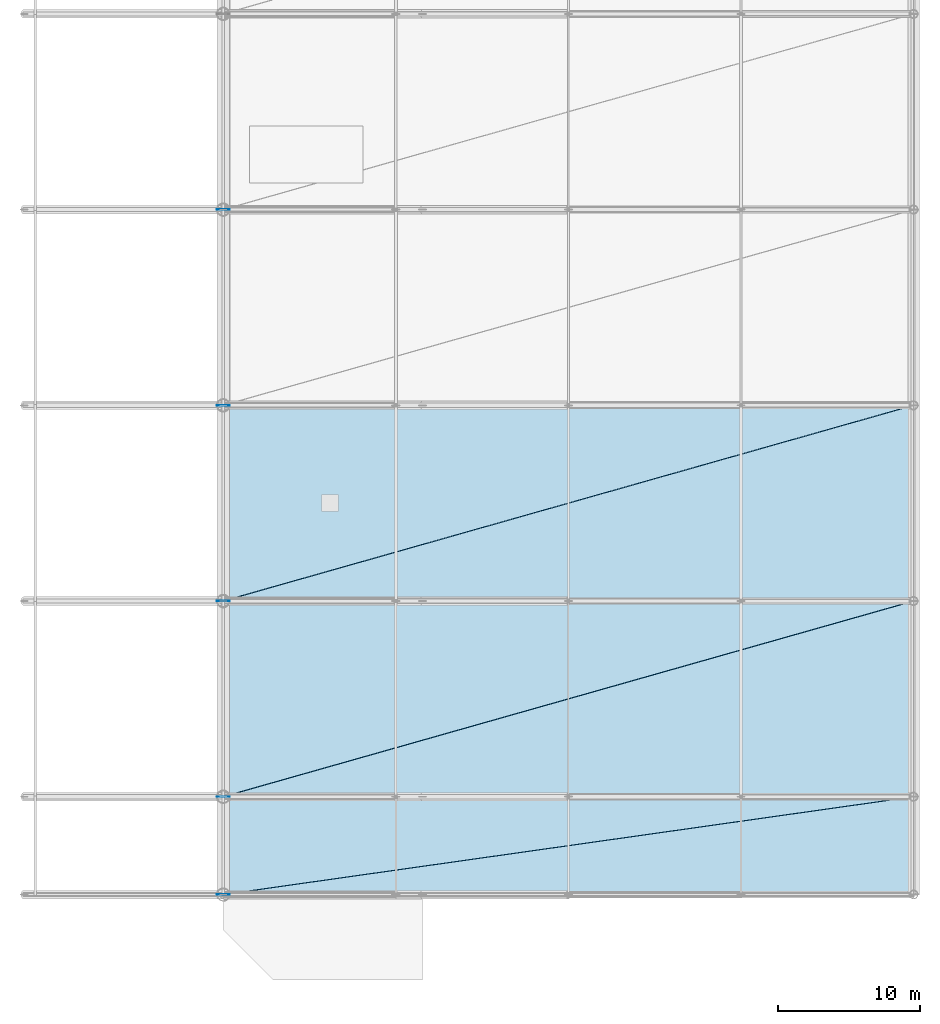
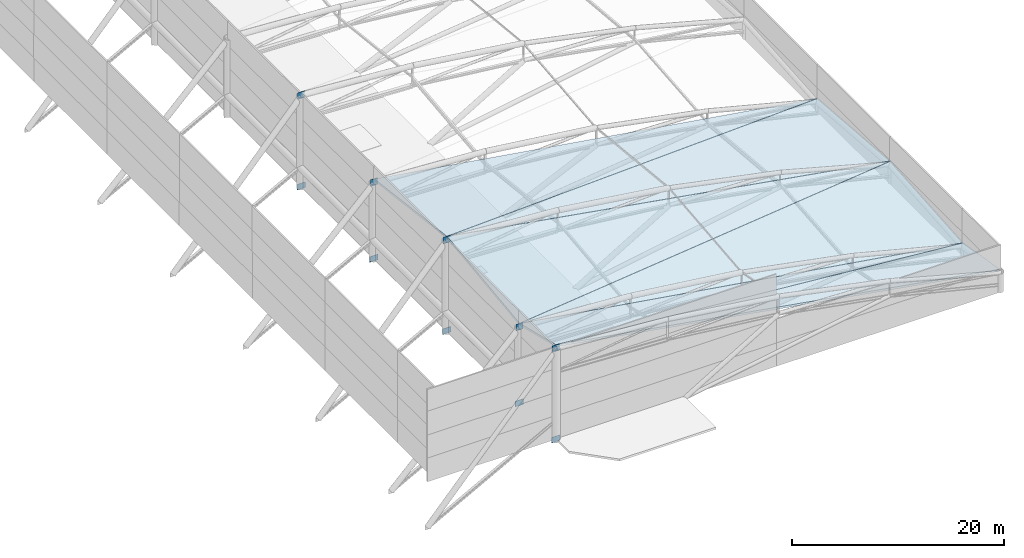
# One storey, part 27 of 36: 10 plates, 6 slabs.
"""IFC4 building model written with IfcOpenShell, lengths in metres."""

from ifc_helpers import new_model, si_unit, direction, frame, origin, origin_2d, place, context, subcontext, project, spatial, polyline, rectangle, outline, extrude, material, layer, layer_set, type_object, element, save


model = new_model("IFC4")

# Units and contexts
model_context = context("Model", 3, precision=1e-05, world=origin(), true_north=direction((0.0, 1.0)))
body_context = subcontext(model_context, "Body", "Model", "MODEL_VIEW")
ifc_project = project(units=[si_unit("LENGTHUNIT", "METRE"), si_unit("AREAUNIT", "SQUARE_METRE"), si_unit("VOLUMEUNIT", "CUBIC_METRE"), si_unit("PLANEANGLEUNIT", "RADIAN"), si_unit("MASSUNIT", "GRAM", prefix="KILO")], contexts=[model_context])

# Site, building, storey
site_placement = place(None, origin())
site = spatial("IfcSite", under=ifc_project, at=site_placement, CompositionType="ELEMENT")
building_placement = place(site_placement, origin())
building = spatial("IfcBuilding", under=site, at=building_placement, Name="Linyun Crest Stadium", CompositionType="ELEMENT")
storey_placement = place(building_placement, frame((0.0, 0.0, 31.60009765625)))
storey = spatial("IfcBuildingStorey", under=building, at=storey_placement, Name="RF", CompositionType="ELEMENT", Elevation=31.60009765625)

# Plates
ifc_material_1 = material(Name="Steel Q420C", Category="steel")
ifc_layer_1 = layer(ifc_material_1, 0.02392578125)
ifc_layer_set_1 = layer_set([ifc_layer_1], Name="Steel Q420C")
plate_type_1 = type_object("IfcPlateType", Name="EP02", PredefinedType="USERDEFINED", material=ifc_layer_set_1)
for number, where, z_axis, x_axis, name in (
    (1, (-84.0, -46.0, 10.02001953125), (0.0, 0.0, 1.0), (1.0, 0.0, 0.0), "Roof mast cap end plate EP02 1"),
    (2, (-84.0, -39.125, 8.31982421875), (0.0, 0.0, 1.0), (1.0, 0.0, 0.0), "Roof mast cap end plate EP02 14"),
    (3, (-84.0, -25.375, 10.02001953125), (0.0, 0.0, 1.0), (1.0, 0.0, 0.0), "Roof mast cap end plate EP02 27"),
    (4, (-84.0, -11.625, 8.31982421875), (0.0, 0.0, 1.0), (1.0, 0.0, 0.0), "Roof mast cap end plate EP02 40"),
    (5, (-84.0, 2.125, 10.02001953125), (0.0, 0.0, 1.0), (1.0, 0.0, 0.0), "Roof mast cap end plate EP02 53"),
):
    element("IfcPlate", number, at=place(storey_placement, frame(where, z_axis=z_axis, x_axis=x_axis)), inside=storey, type_object=plate_type_1, Name=name, ObjectType="END PLATE", PredefinedType="USERDEFINED", context=body_context, shape_type="SweptSolid", body=[
        extrude(rectangle(XDim=0.760009765625, YDim=0.02392578125, at=origin_2d()), origin(), (0.0, 0.0, 1.0), 0.760009765625),
    ])
ifc_material_2 = material(Name="Steel Q420C", Category="steel")
ifc_layer_2 = layer(ifc_material_2, 0.031982421875)
ifc_layer_set_2 = layer_set([ifc_layer_2], Name="Steel Q420C")
plate_type_2 = type_object("IfcPlateType", Name="NP03", PredefinedType="USERDEFINED", material=ifc_layer_set_2)
for number, where, z_axis, x_axis, name in (
    (6, (-84.0, -46.0, -0.41015625), (0.0, 0.0, 1.0), (1.0, 0.0, 0.0), "Roof mast base gusset plate NP03 2"),
    (7, (-84.0, -39.125, -0.41015625), (0.0, 0.0, 1.0), (1.0, 0.0, 0.0), "Roof mast base gusset plate NP03 15"),
    (8, (-84.0, -25.375, -0.41015625), (0.0, 0.0, 1.0), (1.0, 0.0, 0.0), "Roof mast base gusset plate NP03 28"),
    (9, (-84.0, -11.625, -0.41015625), (0.0, 0.0, 1.0), (1.0, 0.0, 0.0), "Roof mast base gusset plate NP03 41"),
    (10, (-84.0, 2.125, -0.41015625), (0.0, 0.0, 1.0), (1.0, 0.0, 0.0), "Roof mast base gusset plate NP03 54"),
):
    element("IfcPlate", number, at=place(storey_placement, frame(where, z_axis=z_axis, x_axis=x_axis)), inside=storey, type_object=plate_type_2, Name=name, ObjectType="GUSSET PLATE", PredefinedType="USERDEFINED", context=body_context, shape_type="SweptSolid", body=[
        extrude(rectangle(XDim=0.89990234375, YDim=0.031982421875, at=origin_2d()), origin(), (0.0, 0.0, 1.0), 0.64990234375),
    ])

# Slabs
ifc_material_3 = material(Name="Concrete C40", Category="concrete")
ifc_layer_3 = layer(ifc_material_3, 0.205078125)
ifc_layer_set_3 = layer_set([ifc_layer_3], Name="Concrete C40")
slab_type_1 = type_object("IfcSlabType", Name="RS01", PredefinedType="ROOF", material=ifc_layer_set_3)
slab_1_placement = place(storey_placement, frame((-83.951904296875, -45.986083984375, 10.7490234375), z_axis=(0.151398016697, 0.237301897195, 0.959565761231), x_axis=(0.000276624797, 0.970745567125, -0.240110323364)))
element("IfcSlab", 11, at=slab_1_placement, inside=storey, type_object=slab_type_1, Name="Wave canopy roof deck RS01 V1 1", PredefinedType="ROOF", context=body_context, shape_type="SweptSolid", body=[
    extrude(outline(polyline([(0.0, 0.0), (7.060556481910175, -2.7755575615628914e-17), (8.910798324499808, -48.963803909825344), (0.0, 0.0)])), origin(), (0.0, 0.0, -1.0), 0.205078125),
])
slab_2_placement = place(storey_placement, frame((-83.95703125, -39.10009765625, 9.0556640625), z_axis=(0.166403985393, -0.120991855615, 0.978606501368), x_axis=(0.000371102243, 0.992451097525, 0.12264045542)))
element("IfcSlab", 12, at=slab_2_placement, inside=storey, type_object=slab_type_1, Name="Wave canopy roof deck RS01 V1 3", PredefinedType="ROOF", context=body_context, shape_type="SweptSolid", body=[
    extrude(outline(polyline([(0.0, 0.0), (13.81547330122875, 5.551115123125783e-17), (12.830951002267827, -49.086606289850366), (0.0, 0.0)])), origin(), (0.0, 0.0, -1.0), 0.205078125),
])
slab_3_placement = place(storey_placement, frame((-83.95703125, -25.35009765625, 10.75), z_axis=(0.154697827667, 0.121227494314, 0.980496036064), x_axis=(0.00037109661, 0.992436034081, -0.12276229285)))
element("IfcSlab", 13, at=slab_3_placement, inside=storey, type_object=slab_type_1, Name="Wave canopy roof deck RS01 V1 5", PredefinedType="ROOF", context=body_context, shape_type="SweptSolid", body=[
    extrude(outline(polyline([(0.0, 0.0), (13.815682995960728, 5.551115123125783e-17), (14.778020008536348, -48.991266848539524), (0.0, 0.0)])), origin(), (0.0, 0.0, -1.0), 0.205078125),
])
ifc_material_4 = material(Name="Concrete C40", Category="concrete")
ifc_layer_4 = layer(ifc_material_4, 0.215087890625)
ifc_layer_set_4 = layer_set([ifc_layer_4], Name="Concrete C40")
slab_type_2 = type_object("IfcSlabType", Name="RS02", PredefinedType="ROOF", material=ifc_layer_set_4)
slab_4_placement = place(storey_placement, frame((-83.949951171875, -45.99609375, 10.7509765625), z_axis=(0.165573418909, 0.156513184108, 0.973698652639), x_axis=(0.97254833583, 0.137782668236, -0.187525120471)))
element("IfcSlab", 14, at=slab_4_placement, inside=storey, type_object=slab_type_2, Name="Wave canopy roof deck RS02 V1 2", PredefinedType="ROOF", context=body_context, shape_type="SweptSolid", body=[
    extrude(outline(polyline([(0.0, 0.0), (49.76807186393343, -2.220446049250313e-16), (48.61514720364309, -6.845630286082916), (0.0, 0.0)])), origin(), (0.0, 0.0, -1.0), 0.215087890625),
])
slab_5_placement = place(storey_placement, frame((-83.949951171875, -39.117919921875, 9.052734375), z_axis=(0.15536175237, -0.079150327085, 0.984681649886), x_axis=(0.954098453325, 0.270381228062, -0.128802689699)))
element("IfcSlab", 15, at=slab_5_placement, inside=storey, type_object=slab_type_2, Name="Wave canopy roof deck RS02 V1 4", PredefinedType="ROOF", context=body_context, shape_type="SweptSolid", body=[
    extrude(outline(polyline([(0.0, 0.0), (50.73583575484608, -2.4424906541753444e-15), (47.165550773534825, -13.28391868195452), (0.0, 0.0)])), origin(), (0.0, 0.0, -1.0), 0.215087890625),
])
slab_6_placement = place(storey_placement, frame((-83.949951171875, -25.367919921875, 10.7509765625), z_axis=(0.167113232306, 0.078981121292, 0.982769123481), x_axis=(0.945972508906, 0.268078422912, -0.182400579942)))
element("IfcSlab", 16, at=slab_6_placement, inside=storey, type_object=slab_type_2, Name="Wave canopy roof deck RS02 V1 6", PredefinedType="ROOF", context=body_context, shape_type="SweptSolid", body=[
    extrude(outline(polyline([(0.0, 0.0), (51.171658759788635, -1.2212453270876722e-15), (47.28998855679638, -13.196412220605916), (0.0, 0.0)])), origin(), (0.0, 0.0, -1.0), 0.215087890625),
])

save(model, "model.ifc")
